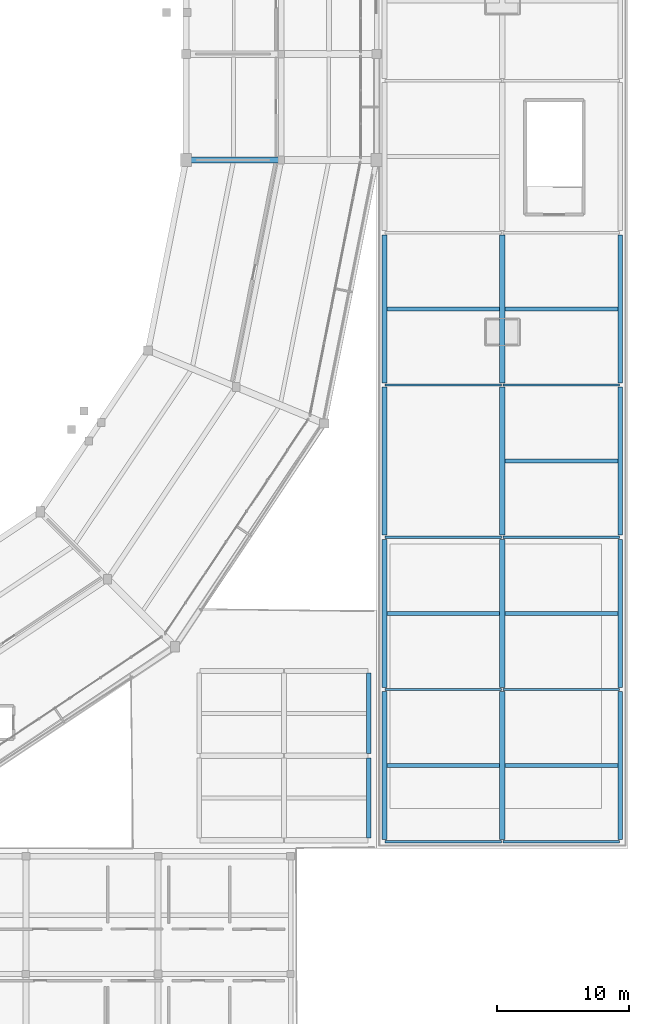
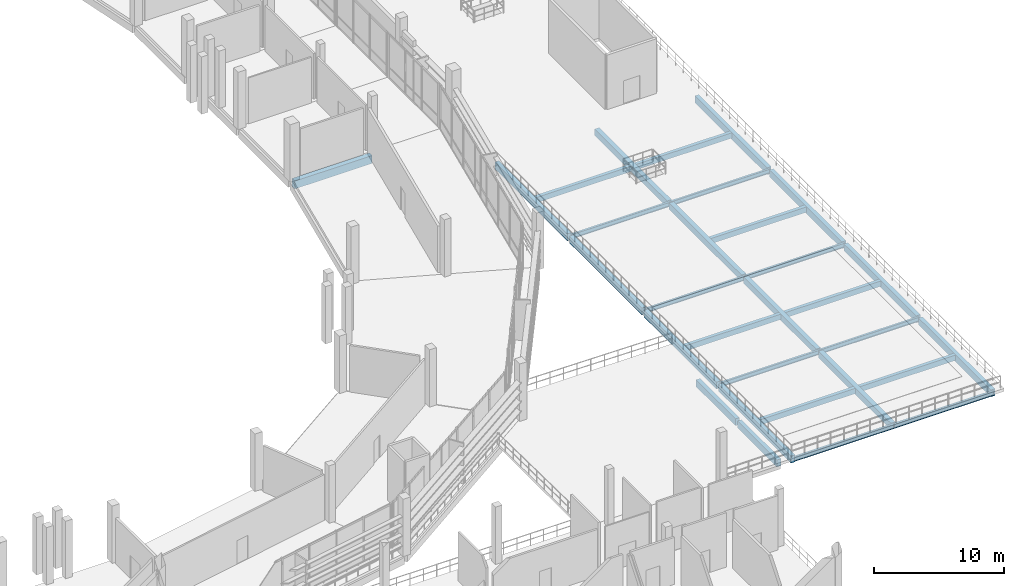
# One storey, part 39 of 111: 30 beams.
"""IFC4 building model written with IfcOpenShell, lengths in metres."""

from ifc_helpers import new_model, si_unit, direction, frame, origin, origin_2d, place, context, subcontext, project, spatial, rectangle, i_section, extrude, material, material_profile, profile_set, type_object, element, save


model = new_model("IFC4")

# Units and contexts
model_context = context("Model", 3, precision=1e-05, world=origin(), true_north=direction((0.0, 1.0)))
body_context = subcontext(model_context, "Body", "Model", "MODEL_VIEW")
ifc_project = project(units=[si_unit("LENGTHUNIT", "METRE"), si_unit("AREAUNIT", "SQUARE_METRE"), si_unit("VOLUMEUNIT", "CUBIC_METRE"), si_unit("PLANEANGLEUNIT", "RADIAN"), si_unit("MASSUNIT", "GRAM", prefix="KILO")], contexts=[model_context])

# Site, building, storey
site_placement = place(None, origin())
site = spatial("IfcSite", under=ifc_project, at=site_placement, CompositionType="ELEMENT")
building_placement = place(site_placement, origin())
building = spatial("IfcBuilding", under=site, at=building_placement, Name="Candeia Ridge Stadium", CompositionType="ELEMENT")
storey_placement = place(building_placement, frame((0.0, 0.0, 16.199951171875)))
storey = spatial("IfcBuildingStorey", under=building, at=storey_placement, Name="L03", CompositionType="ELEMENT", Elevation=16.199951171875)

# Beams
ifc_material_1 = material(Name="Concrete C40/50", Category="concrete")
ifc_material_profile_1 = material_profile(ifc_material_1, rectangle(XDim=0.300048828125, YDim=0.5, at=origin_2d()), Name="RC300x500", Category="concrete")
ifc_profile_set_1 = profile_set([ifc_material_profile_1], Name="Concrete C40/50")
beam_type_1 = type_object("IfcBeamType", Name="Floor Joist RC300x500", PredefinedType="JOIST", material=ifc_profile_set_1)
for number, where, z_axis, x_axis, name in (
    (1, (193.7744140625, 25.25, -0.530029296875), (1.0, 0.0, 0.0), (0.0, 1.0, 0.0), "Wing secondary joist BM-L03-1810"),
    (2, (193.7744140625, 36.75, -0.530029296875), (1.0, 0.0, 0.0), (0.0, 1.0, 0.0), "Wing secondary joist BM-L03-1812"),
    (3, (193.7744140625, 59.75, -0.530029296875), (1.0, 0.0, 0.0), (0.0, 1.0, 0.0), "Wing secondary joist BM-L03-1815"),
    (4, (202.699462890625, 25.25, -0.530029296875), (1.0, 0.0, 0.0), (0.0, 1.0, 0.0), "Wing secondary joist BM-L03-1831"),
    (5, (202.699462890625, 36.75, -0.530029296875), (1.0, 0.0, 0.0), (0.0, 1.0, 0.0), "Wing secondary joist BM-L03-1833"),
    (6, (202.699462890625, 48.25, -0.530029296875), (1.0, 0.0, 0.0), (0.0, 1.0, 0.0), "Wing secondary joist BM-L03-1835"),
    (7, (202.699462890625, 59.75, -0.530029296875), (1.0, 0.0, 0.0), (0.0, 1.0, 0.0), "Wing secondary joist BM-L03-1837"),
):
    element("IfcBeam", number, at=place(storey_placement, frame(where, z_axis=z_axis, x_axis=x_axis)), inside=storey, type_object=beam_type_1, Name=name, PredefinedType="JOIST", context=body_context, shape_type="SweptSolid", body=[
        extrude(rectangle(XDim=0.300048828125, YDim=0.5, at=origin_2d()), origin(), (0.0, 0.0, 1.0), 8.526123046875),
    ])
ifc_material_profile_2 = material_profile(ifc_material_1, rectangle(XDim=0.39990234375, YDim=0.60009765625, at=origin_2d()), Name="RC400x600", Category="concrete")
ifc_profile_set_2 = profile_set([ifc_material_profile_2], Name="Concrete C40/50")
beam_type_2 = type_object("IfcBeamType", Name="Frame Girder RC400x600", PredefinedType="BEAM", material=ifc_profile_set_2)
for number, where, z_axis, x_axis, name in (
    (8, (202.5, 19.659912109375, -0.579833984375), (0.0, 1.0, 0.0), (-1.0, 0.0, 0.0), "Structural girder BM-L03-1787"),
    (9, (202.5, 31.159912109375, -0.579833984375), (0.0, 1.0, 0.0), (-1.0, 0.0, 0.0), "Structural girder BM-L03-1788"),
    (10, (202.5, 42.659912109375, -0.579833984375), (0.0, 1.0, 0.0), (-1.0, 0.0, 0.0), "Structural girder BM-L03-1789"),
    (11, (202.5, 54.159912109375, -0.579833984375), (0.0, 1.0, 0.0), (-1.0, 0.0, 0.0), "Structural girder BM-L03-1790"),
):
    element("IfcBeam", number, at=place(storey_placement, frame(where, z_axis=z_axis, x_axis=x_axis)), inside=storey, type_object=beam_type_2, Name=name, PredefinedType="BEAM", context=body_context, shape_type="SweptSolid", body=[
        extrude(rectangle(XDim=0.39990234375, YDim=0.60009765625, at=origin_2d()), origin(), (0.0, 0.0, 1.0), 11.18017578125),
    ])
ifc_material_profile_3 = material_profile(ifc_material_1, rectangle(XDim=0.429931640625, YDim=0.739990234375, at=origin_2d()), Name="RC430x740", Category="concrete")
ifc_profile_set_3 = profile_set([ifc_material_profile_3], Name="Concrete C40/50")
beam_type_3 = type_object("IfcBeamType", Name="Frame Girder RC430x740", PredefinedType="BEAM", material=ifc_profile_set_3)
beam_placement = place(storey_placement, frame((178.760009765625, 71.0, -0.619873046875), z_axis=(1.0, 0.0, 0.0), x_axis=(0.0, 1.0, 0.0)))
element("IfcBeam", 12, at=beam_placement, inside=storey, type_object=beam_type_3, Name="Bowl radial girder BM-L03-0539", PredefinedType="BEAM", context=body_context, shape_type="SweptSolid", body=[
    extrude(rectangle(XDim=0.429931640625, YDim=0.739990234375, at=origin_2d()), origin(), (0.0, 0.0, 1.0), 6.8798828125),
])
ifc_material_profile_4 = material_profile(ifc_material_1, rectangle(XDim=0.35009765625, YDim=0.64990234375, at=origin_2d()), Name="RC350x650", Category="concrete")
ifc_profile_set_4 = profile_set([ifc_material_profile_4], Name="Concrete C40/50")
beam_type_4 = type_object("IfcBeamType", Name="Spandrel Beam RC350x650", PredefinedType="SPANDREL", material=ifc_profile_set_4)
for number, where, z_axis, x_axis, name in (
    (13, (193.60009765625, 19.659912109375, -0.60498046875), (0.0, 1.0, 0.0), (-1.0, 0.0, 0.0), "Structural girder BM-L03-1776"),
    (14, (193.60009765625, 31.159912109375, -0.60498046875), (0.0, 1.0, 0.0), (-1.0, 0.0, 0.0), "Structural girder BM-L03-1777"),
    (15, (193.60009765625, 42.659912109375, -0.60498046875), (0.0, 1.0, 0.0), (-1.0, 0.0, 0.0), "Structural girder BM-L03-1778"),
    (16, (193.60009765625, 54.159912109375, -0.60498046875), (0.0, 1.0, 0.0), (-1.0, 0.0, 0.0), "Structural girder BM-L03-1779"),
    (17, (211.39990234375, 19.659912109375, -0.60498046875), (0.0, 1.0, 0.0), (-1.0, 0.0, 0.0), "Structural girder BM-L03-1798"),
    (18, (211.39990234375, 31.159912109375, -0.60498046875), (0.0, 1.0, 0.0), (-1.0, 0.0, 0.0), "Structural girder BM-L03-1799"),
    (19, (211.39990234375, 42.659912109375, -0.60498046875), (0.0, 1.0, 0.0), (-1.0, 0.0, 0.0), "Structural girder BM-L03-1800"),
    (20, (211.39990234375, 54.159912109375, -0.60498046875), (0.0, 1.0, 0.0), (-1.0, 0.0, 0.0), "Structural girder BM-L03-1801"),
):
    element("IfcBeam", number, at=place(storey_placement, frame(where, z_axis=z_axis, x_axis=x_axis)), inside=storey, type_object=beam_type_4, Name=name, PredefinedType="SPANDREL", context=body_context, shape_type="SweptSolid", body=[
        extrude(rectangle(XDim=0.35009765625, YDim=0.64990234375, at=origin_2d()), origin(), (0.0, 0.0, 1.0), 11.18017578125),
    ])
for number, where, z_axis, x_axis, name in (
    (21, (192.39990234375, 19.760009765625, -0.60498046875), (0.0, 1.0, 0.0), (-1.0, 0.0, 0.0), "Structural girder BM-L03-2420"),
    (22, (192.39990234375, 26.159912109375, -0.60498046875), (0.0, 1.0, 0.0), (-1.0, 0.0, 0.0), "Structural girder BM-L03-2421"),
):
    element("IfcBeam", number, at=place(storey_placement, frame(where, z_axis=z_axis, x_axis=x_axis)), inside=storey, type_object=beam_type_4, Name=name, PredefinedType="SPANDREL", context=body_context, shape_type="SweptSolid", body=[
        extrude(rectangle(XDim=0.35009765625, YDim=0.64990234375, at=origin_2d()), origin(), (0.0, 0.0, 1.0), 6.080078125),
    ])
ifc_material_2 = material(Name="Steel ASTM A572 Grade 50", Category="steel")
ifc_material_profile_5 = material_profile(ifc_material_2, i_section(OverallWidth=0.178955078125, OverallDepth=0.409912109375, WebThickness=0.0087890625, FlangeThickness=0.014404296875, FilletRadius=0.011962890625, at=origin_2d()), Name="W410x67", Category="steel")
ifc_profile_set_5 = profile_set([ifc_material_profile_5], Name="Steel ASTM A572 Grade 50")
beam_type_5 = type_object("IfcBeamType", Name="Warm-Up Hall Girder W410x67", PredefinedType="BEAM", material=ifc_profile_set_5)
for number, where, z_axis, x_axis, name in (
    (23, (193.64990234375, 19.5, -0.48486328125), (1.0, 0.0, 0.0), (0.0, 1.0, 0.0), "Structural girder BM-L03-1809"),
    (24, (193.64990234375, 31.0, -0.48486328125), (1.0, 0.0, 0.0), (0.0, 1.0, 0.0), "Structural girder BM-L03-1811"),
    (25, (193.64990234375, 42.5, -0.48486328125), (1.0, 0.0, 0.0), (0.0, 1.0, 0.0), "Structural girder BM-L03-1813"),
    (26, (193.64990234375, 54.0, -0.48486328125), (1.0, 0.0, 0.0), (0.0, 1.0, 0.0), "Structural girder BM-L03-1814"),
    (27, (202.550048828125, 19.5, -0.48486328125), (1.0, 0.0, 0.0), (0.0, 1.0, 0.0), "Structural girder BM-L03-1830"),
    (28, (202.550048828125, 31.0, -0.48486328125), (1.0, 0.0, 0.0), (0.0, 1.0, 0.0), "Structural girder BM-L03-1832"),
    (29, (202.550048828125, 42.5, -0.48486328125), (1.0, 0.0, 0.0), (0.0, 1.0, 0.0), "Structural girder BM-L03-1834"),
    (30, (202.550048828125, 54.0, -0.48486328125), (1.0, 0.0, 0.0), (0.0, 1.0, 0.0), "Structural girder BM-L03-1836"),
):
    element("IfcBeam", number, at=place(storey_placement, frame(where, z_axis=z_axis, x_axis=x_axis)), inside=storey, type_object=beam_type_5, Name=name, PredefinedType="BEAM", context=body_context, shape_type="SweptSolid", body=[
        extrude(i_section(OverallWidth=0.178955078125, OverallDepth=0.409912109375, WebThickness=0.0087890625, FlangeThickness=0.014404296875, FilletRadius=0.011962890625, at=origin_2d()), origin(), (0.0, 0.0, 1.0), 8.800048828125),
    ])

save(model, "model.ifc")
